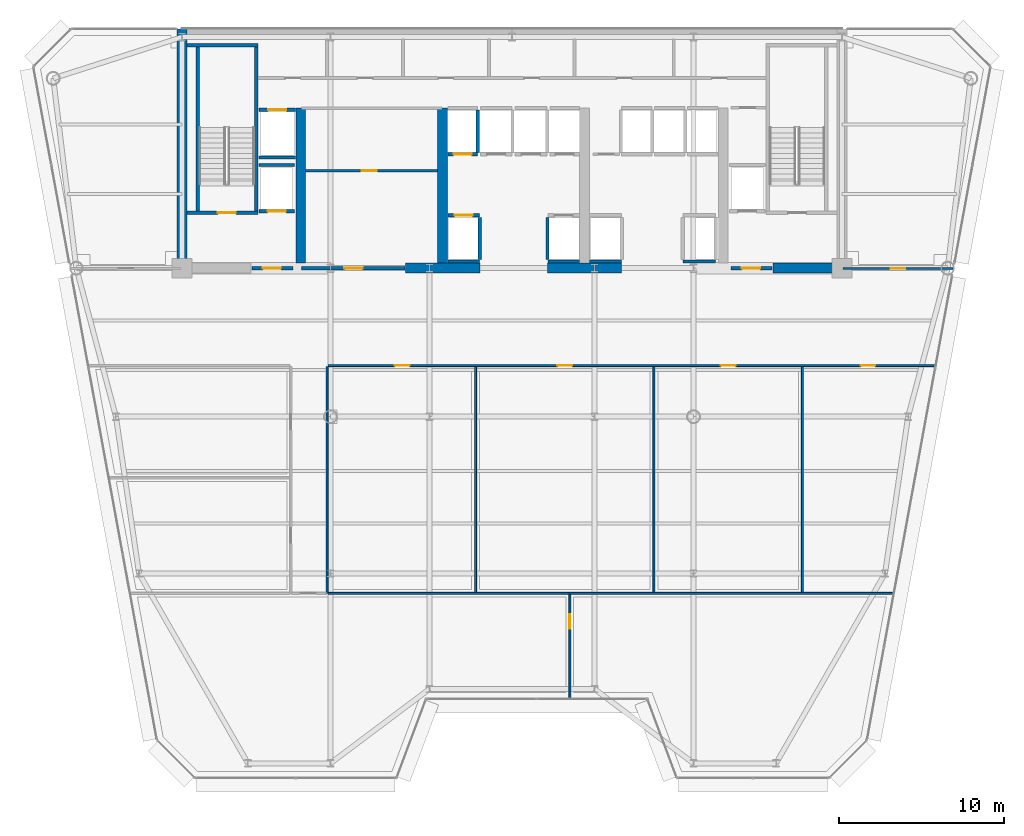
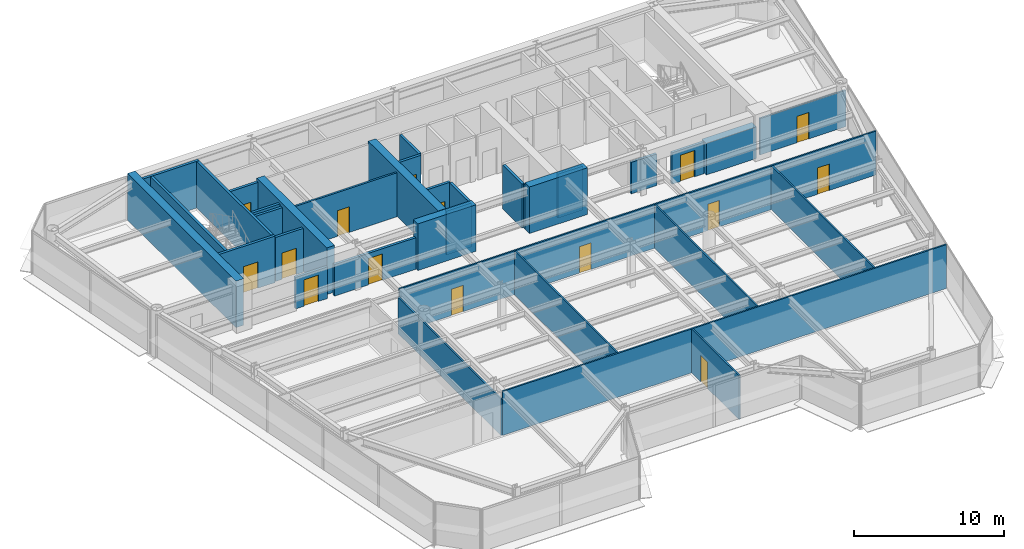
# One storey, part 10 of 16: 35 walls, 15 doors, 15 openings.
"""IFC4 building model written with IfcOpenShell, lengths in metres."""

from ifc_helpers import new_model, si_unit, direction, frame, frame_2d, origin, place, context, subcontext, project, spatial, rectangle, extrude, source, transform, mapped, material, layer, layer_set, type_object, element, fill, save


model = new_model("IFC4")

# Units and contexts
model_context = context("Model", 3, precision=1e-05, world=origin(), true_north=direction((0.0, 1.0)))
body_context = subcontext(model_context, "Body", "Model", "MODEL_VIEW")
ifc_project = project(units=[si_unit("LENGTHUNIT", "METRE"), si_unit("AREAUNIT", "SQUARE_METRE"), si_unit("VOLUMEUNIT", "CUBIC_METRE"), si_unit("PLANEANGLEUNIT", "RADIAN"), si_unit("MASSUNIT", "GRAM", prefix="KILO")], contexts=[model_context])

# Site, building, storey
site_placement = place(None, origin())
site = spatial("IfcSite", under=ifc_project, at=site_placement, CompositionType="ELEMENT")
building_placement = place(site_placement, origin())
building = spatial("IfcBuilding", under=site, at=building_placement, Name="Vaeldorn Concourse Tower", CompositionType="ELEMENT")
storey_placement = place(building_placement, frame((0.0, 0.0, 188.0)))
storey = spatial("IfcBuildingStorey", under=building, at=storey_placement, Name="L48", CompositionType="ELEMENT", Elevation=188.0)

# Walls
ifc_material_1 = material(Name="Concrete C50/60", Category="concrete")
ifc_layer_1 = layer(ifc_material_1, 0.60009765625)
ifc_layer_set_1 = layer_set([ifc_layer_1], Name="Concrete C50/60")
wall_type_1 = type_object("IfcWallType", Name="WL-CORE-600", PredefinedType="SHEAR", material=ifc_layer_set_1)
wall_1_placement = place(storey_placement, frame((14.0, 36.5, 0.0), z_axis=(0.0, 0.0, 1.0), x_axis=(0.0, 1.0, 0.0)))
element("IfcWall", 1, at=wall_1_placement, inside=storey, type_object=wall_type_1, Name="Rear Core Shear Wall L48 W1", PredefinedType="SHEAR", context=body_context, shape_type="SweptSolid", body=[
    extrude(rectangle(XDim=14.5, YDim=0.60009765625, at=frame_2d((7.25, 0.0))), origin(), (0.0, 0.0, 1.0), 3.800048828125),
])
for number, where, z_axis, x_axis, name in (
    (2, (27.550048828125, 36.5, 0.0), (0.0, 0.0, 1.0), (1.0, 0.0, 0.0), "Rear Core Shear Wall L48 S2"),
    (3, (36.14990234375, 36.5, 0.0), (0.0, 0.0, 1.0), (1.0, 0.0, 0.0), "Rear Core Shear Wall L48 S3"),
):
    element("IfcWall", number, at=place(storey_placement, frame(where, z_axis=z_axis, x_axis=x_axis)), inside=storey, type_object=wall_type_1, Name=name, PredefinedType="SHEAR", context=body_context, shape_type="SweptSolid", body=[
        extrude(rectangle(XDim=4.5, YDim=0.60009765625, at=frame_2d((2.25, 0.0))), origin(), (0.0, 0.0, 1.0), 3.800048828125),
    ])
wall_2_placement = place(storey_placement, frame((49.800048828125, 36.5, 0.0), z_axis=(0.0, 0.0, 1.0), x_axis=(1.0, 0.0, 0.0)))
element("IfcWall", 4, at=wall_2_placement, inside=storey, type_object=wall_type_1, Name="Rear Core Shear Wall L48 S4", PredefinedType="SHEAR", context=body_context, shape_type="SweptSolid", body=[
    extrude(rectangle(XDim=3.8798828125, YDim=0.60009765625, at=frame_2d((1.93994140625, 0.0))), origin(), (0.0, 0.0, 1.0), 2.580078125),
])
for number, where, z_axis, x_axis, name in (
    (5, (21.199951171875, 36.820068359375, 0.0), (0.0, 0.0, 1.0), (0.0, 1.0, 0.0), "Rear Core Shear Wall L48 M1"),
    (6, (29.800048828125, 36.820068359375, 0.0), (0.0, 0.0, 1.0), (0.0, 1.0, 0.0), "Rear Core Shear Wall L48 M2"),
):
    element("IfcWall", number, at=place(storey_placement, frame(where, z_axis=z_axis, x_axis=x_axis)), inside=storey, type_object=wall_type_1, Name=name, PredefinedType="SHEAR", context=body_context, shape_type="SweptSolid", body=[
        extrude(rectangle(XDim=9.3798828125, YDim=0.60009765625, at=frame_2d((4.68994140625, 0.0))), origin(), (0.0, 0.0, 1.0), 3.800048828125),
    ])

# Wall, openings, doors
ifc_material_2 = material(Name="Gypsum Board Partition", Category="gypsum")
ifc_layer_2 = layer(ifc_material_2, 0.1201171875)
ifc_layer_set_2 = layer_set([ifc_layer_2], Name="Gypsum Board Partition")
wall_type_2 = type_object("IfcWallType", Name="WL-PART-120", PredefinedType="PARTITIONING", material=ifc_layer_set_2)
wall_3_placement = place(storey_placement, frame((22.860107421875, 30.60009765625, 0.0), z_axis=(0.0, 0.0, 1.0), x_axis=(1.0, 0.0, 0.0)))
wall_3 = element("IfcWall", 7, at=wall_3_placement, inside=storey, type_object=wall_type_2, Name="Interior Wall PW-L48-C2SE", PredefinedType="PARTITIONING", context=body_context, shape_type="SweptSolid", body=[
    extrude(rectangle(XDim=36.776611328125, YDim=0.1201171875, at=frame_2d((18.38818359375, 0.0))), origin(), (0.0, 0.0, 1.0), 3.580078125),
])
opening_1_placement = place(wall_3_placement, frame((4.0400390625, 0.0, 0.0)))
opening_1 = element("IfcOpeningElement", 8, at=opening_1_placement, cuts=wall_3, Name="Opening D-03", PredefinedType="OPENING", context=body_context, shape_type="SweptSolid", body=[
    extrude(rectangle(XDim=0.89990234375, YDim=2.14990234375, at=frame_2d((0.449951171875, 1.074951171875))), frame((0.0, 0.070068359375, 0.0), z_axis=(0.0, -1.0, 0.0), x_axis=(1.0, 0.0, 0.0)), (0.0, 0.0, 1.0), 0.14013671875),
])
opening_2_placement = place(wall_3_placement, frame((13.889892578125, 0.0, 0.0)))
opening_2 = element("IfcOpeningElement", 9, at=opening_2_placement, cuts=wall_3, Name="Opening D-03", PredefinedType="OPENING", context=body_context, shape_type="SweptSolid", body=[
    extrude(rectangle(XDim=0.89990234375, YDim=2.14990234375, at=frame_2d((0.449951171875, 1.074951171875))), frame((0.0, 0.070068359375, 0.0), z_axis=(0.0, -1.0, 0.0), x_axis=(1.0, 0.0, 0.0)), (0.0, 0.0, 1.0), 0.14013671875),
])
opening_3_placement = place(wall_3_placement, frame((23.7900390625, 0.0, 0.0)))
opening_3 = element("IfcOpeningElement", 10, at=opening_3_placement, cuts=wall_3, Name="Opening D-03", PredefinedType="OPENING", context=body_context, shape_type="SweptSolid", body=[
    extrude(rectangle(XDim=0.89990234375, YDim=2.14990234375, at=frame_2d((0.449951171875, 1.074951171875))), frame((0.0, 0.070068359375, 0.0), z_axis=(0.0, -1.0, 0.0), x_axis=(1.0, 0.0, 0.0)), (0.0, 0.0, 1.0), 0.14013671875),
])
opening_4_placement = place(wall_3_placement, frame((32.258056640625, 0.0, 0.0)))
opening_4 = element("IfcOpeningElement", 11, at=opening_4_placement, cuts=wall_3, Name="Opening D-03", PredefinedType="OPENING", context=body_context, shape_type="SweptSolid", body=[
    extrude(rectangle(XDim=0.89990234375, YDim=2.14990234375, at=frame_2d((0.449951171875, 1.074951171875))), frame((0.0, 0.070068359375, 0.0), z_axis=(0.0, -1.0, 0.0), x_axis=(1.0, 0.0, 0.0)), (0.0, 0.0, 1.0), 0.14013671875),
])
ifc_material_3 = material(Name="Acoustic Bronze-Framed Glass Door", Category="glass")
door_type_1 = type_object("IfcDoorType", Name="DR-INT-900", OperationType="NOTDEFINED", PredefinedType="DOOR", material=ifc_material_3)
shared_shape_1 = source(origin(), body_context, "Body", "SweptSolid", [
    extrude(rectangle(XDim=0.89990234375, YDim=2.14990234375, at=frame_2d((0.449951171875, 1.074951171875))), frame((0.0, 0.02490234375, 0.0), z_axis=(0.0, -1.0, 0.0), x_axis=(1.0, 0.0, 0.0)), (0.0, 0.0, 1.0), 0.050048828125),
])
door_1_placement = place(opening_1_placement, origin())
door_1 = element("IfcDoor", 12, at=door_1_placement, inside=storey, type_object=door_type_1, Name="Interior Door DR-L48-Z2E1", OperationType="SINGLE_SWING_RIGHT", OverallHeight=2.14990234375, OverallWidth=0.89990234375, PredefinedType="DOOR", context=body_context, shape_type="MappedRepresentation", body=[
    mapped(shared_shape_1, transform((0.0, 0.0, 0.0), scale=1.0)),
])
fill(opening_1, door_1)
door_2_placement = place(opening_2_placement, origin())
door_2 = element("IfcDoor", 13, at=door_2_placement, inside=storey, type_object=door_type_1, Name="Interior Door DR-L48-Z2E2", OperationType="SINGLE_SWING_LEFT", OverallHeight=2.14990234375, OverallWidth=0.89990234375, PredefinedType="DOOR", context=body_context, shape_type="MappedRepresentation", body=[
    mapped(shared_shape_1, transform((0.0, 0.0, 0.0), scale=1.0)),
])
fill(opening_2, door_2)
door_3_placement = place(opening_3_placement, origin())
door_3 = element("IfcDoor", 14, at=door_3_placement, inside=storey, type_object=door_type_1, Name="Interior Door DR-L48-Z2E3", OperationType="SINGLE_SWING_RIGHT", OverallHeight=2.14990234375, OverallWidth=0.89990234375, PredefinedType="DOOR", context=body_context, shape_type="MappedRepresentation", body=[
    mapped(shared_shape_1, transform((0.0, 0.0, 0.0), scale=1.0)),
])
fill(opening_3, door_3)
door_4_placement = place(opening_4_placement, origin())
door_4 = element("IfcDoor", 15, at=door_4_placement, inside=storey, type_object=door_type_1, Name="Interior Door DR-L48-Z2E4", OperationType="SINGLE_SWING_LEFT", OverallHeight=2.14990234375, OverallWidth=0.89990234375, PredefinedType="DOOR", context=body_context, shape_type="MappedRepresentation", body=[
    mapped(shared_shape_1, transform((0.0, 0.0, 0.0), scale=1.0)),
])
fill(opening_4, door_4)

# Wall
wall_4_placement = place(storey_placement, frame((22.800048828125, 16.800048828125, 0.0), z_axis=(0.0, 0.0, 1.0), x_axis=(0.0, 1.0, 0.0)))
element("IfcWall", 16, at=wall_4_placement, inside=storey, type_object=wall_type_2, Name="Interior Wall PW-L48-SP2E", PredefinedType="PARTITIONING", context=body_context, shape_type="SweptSolid", body=[
    extrude(rectangle(XDim=13.739990234375, YDim=0.1201171875, at=frame_2d((6.8701171875, 0.0))), origin(), (0.0, 0.0, 1.0), 2.969970703125),
])

# Wall, opening, door
wall_5_placement = place(storey_placement, frame((54.06005859375, 36.47998046875, 0.0), z_axis=(0.0, 0.0, 1.0), x_axis=(1.0, 0.0, 0.0)))
wall_5 = element("IfcWall", 17, at=wall_5_placement, inside=storey, type_object=wall_type_2, Name="Interior Wall PW-L48-NES", PredefinedType="PARTITIONING", context=body_context, shape_type="SweptSolid", body=[
    extrude(rectangle(XDim=6.65087890625, YDim=0.1201171875, at=frame_2d((3.325439453125, 0.0))), origin(), (0.0, 0.0, 1.0), 2.969970703125),
])
opening_5_placement = place(wall_5_placement, frame((2.875, 0.0, 0.0)))
opening_5 = element("IfcOpeningElement", 18, at=opening_5_placement, cuts=wall_5, Name="Opening D-03", PredefinedType="OPENING", context=body_context, shape_type="SweptSolid", body=[
    extrude(rectangle(XDim=0.89990234375, YDim=2.14990234375, at=frame_2d((0.449951171875, 1.074951171875))), frame((0.0, 0.070068359375, 0.0), z_axis=(0.0, -1.0, 0.0), x_axis=(1.0, 0.0, 0.0)), (0.0, 0.0, 1.0), 0.14013671875),
])
door_5_placement = place(opening_5_placement, origin())
door_5 = element("IfcDoor", 19, at=door_5_placement, inside=storey, type_object=door_type_1, Name="Interior Door DR-L48-NEC", OperationType="SINGLE_SWING_RIGHT", OverallHeight=2.14990234375, OverallWidth=0.89990234375, PredefinedType="DOOR", context=body_context, shape_type="MappedRepresentation", body=[
    mapped(shared_shape_1, transform((0.0, 0.0, 0.0), scale=1.0)),
])
fill(opening_5, door_5)

# Wall
wall_6_placement = place(storey_placement, frame((22.860107421875, 16.800048828125, 0.0), z_axis=(0.0, 0.0, 1.0), x_axis=(1.0, 0.0, 0.0)))
element("IfcWall", 20, at=wall_6_placement, inside=storey, type_object=wall_type_2, Name="Interior Wall PW-L48-S2EL", PredefinedType="PARTITIONING", context=body_context, shape_type="SweptSolid", body=[
    extrude(rectangle(XDim=34.242919921875, YDim=0.1201171875, at=frame_2d((17.12158203125, 0.0))), origin(), (0.0, 0.0, 1.0), 3.580078125),
])

# Wall, opening, door
wall_7_placement = place(storey_placement, frame((37.5, 10.43994140625, 0.0), z_axis=(0.0, 0.0, 1.0), x_axis=(0.0, 1.0, 0.0)))
wall_7 = element("IfcWall", 21, at=wall_7_placement, inside=storey, type_object=wall_type_2, Name="Interior Wall PW-L48-Z2SFX1", PredefinedType="PARTITIONING", context=body_context, shape_type="SweptSolid", body=[
    extrude(rectangle(XDim=6.300048828125, YDim=0.1201171875, at=frame_2d((3.14990234375, 0.0))), origin(), (0.0, 0.0, 1.0), 3.580078125),
])
opening_6_placement = place(wall_7_placement, frame((4.199951171875, 0.0, 0.0)))
opening_6 = element("IfcOpeningElement", 22, at=opening_6_placement, cuts=wall_7, Name="Opening D-03", PredefinedType="OPENING", context=body_context, shape_type="SweptSolid", body=[
    extrude(rectangle(XDim=0.89990234375, YDim=2.14990234375, at=frame_2d((0.449951171875, 1.074951171875))), frame((0.0, 0.070068359375, 0.0), z_axis=(0.0, -1.0, 0.0), x_axis=(1.0, 0.0, 0.0)), (0.0, 0.0, 1.0), 0.14013671875),
])
door_6_placement = place(opening_6_placement, origin())
door_6 = element("IfcDoor", 23, at=door_6_placement, inside=storey, type_object=door_type_1, Name="Interior Door DR-L48-Z2SFX1", OperationType="SINGLE_SWING_RIGHT", OverallHeight=2.14990234375, OverallWidth=0.89990234375, PredefinedType="DOOR", context=body_context, shape_type="MappedRepresentation", body=[
    mapped(shared_shape_1, transform((0.0, 0.0, 0.0), scale=1.0)),
])
fill(opening_6, door_6)

# Walls
for number, where, z_axis, x_axis, name in (
    (24, (31.800048828125, 16.860107421875, 0.0), (0.0, 0.0, 1.0), (0.0, 1.0, 0.0), "Interior Wall PW-L48-Z2EX1"),
    (25, (42.60009765625, 16.860107421875, 0.0), (0.0, 0.0, 1.0), (0.0, 1.0, 0.0), "Interior Wall PW-L48-Z2EX2"),
    (26, (51.60009765625, 16.860107421875, 0.0), (0.0, 0.0, 1.0), (0.0, 1.0, 0.0), "Interior Wall PW-L48-Z2EX3"),
):
    element("IfcWall", number, at=place(storey_placement, frame(where, z_axis=z_axis, x_axis=x_axis)), inside=storey, type_object=wall_type_2, Name=name, PredefinedType="PARTITIONING", context=body_context, shape_type="SweptSolid", body=[
        extrude(rectangle(XDim=13.679931640625, YDim=0.1201171875, at=frame_2d((6.83984375, 0.0))), origin(), (0.0, 0.0, 1.0), 3.580078125),
    ])

# Wall, opening, door
ifc_layer_3 = layer(ifc_material_2, 0.14990234375)
ifc_layer_set_3 = layer_set([ifc_layer_3], Name="Gypsum Board Partition")
wall_type_3 = type_object("IfcWallType", Name="WL-PART-150", PredefinedType="PARTITIONING", material=ifc_layer_set_3)
wall_8_placement = place(storey_placement, frame((21.5, 42.39990234375, 0.0), z_axis=(0.0, 0.0, 1.0), x_axis=(1.0, 0.0, 0.0)))
wall_8 = element("IfcWall", 27, at=wall_8_placement, inside=storey, type_object=wall_type_3, Name="Interior Wall CW-L48-R1M", PredefinedType="PARTITIONING", context=body_context, shape_type="SweptSolid", body=[
    extrude(rectangle(XDim=8.0, YDim=0.14990234375, at=frame_2d((4.0, 0.0))), origin(), (0.0, 0.0, 1.0), 3.580078125),
])
opening_7_placement = place(wall_8_placement, frame((3.39990234375, 0.0, 0.0)))
opening_7 = element("IfcOpeningElement", 28, at=opening_7_placement, cuts=wall_8, Name="Opening D-02", PredefinedType="OPENING", context=body_context, shape_type="SweptSolid", body=[
    extrude(rectangle(XDim=0.89990234375, YDim=2.10009765625, at=frame_2d((0.449951171875, 1.050048828125))), frame((0.0, 0.0849609375, 0.0), z_axis=(0.0, -1.0, 0.0), x_axis=(1.0, 0.0, 0.0)), (0.0, 0.0, 1.0), 0.169921875),
])
ifc_material_4 = material(Name="Fire-Rated Timber Leaf", Category="wood")
door_type_2 = type_object("IfcDoorType", Name="DR-FD30-900", OperationType="NOTDEFINED", PredefinedType="DOOR", material=ifc_material_4)
shared_shape_2 = source(origin(), body_context, "Body", "SweptSolid", [
    extrude(rectangle(XDim=0.89990234375, YDim=2.10009765625, at=frame_2d((0.449951171875, 1.050048828125))), frame((0.0, 0.02490234375, 0.0), z_axis=(0.0, -1.0, 0.0), x_axis=(1.0, 0.0, 0.0)), (0.0, 0.0, 1.0), 0.050048828125),
])
door_7_placement = place(opening_7_placement, origin())
door_7 = element("IfcDoor", 29, at=door_7_placement, inside=storey, type_object=door_type_2, Name="Interior Door DR-L48-R1M", OperationType="SINGLE_SWING_RIGHT", OverallHeight=2.10009765625, OverallWidth=0.89990234375, PredefinedType="DOOR", context=body_context, shape_type="MappedRepresentation", body=[
    mapped(shared_shape_2, transform((0.0, 0.0, 0.0), scale=1.0)),
])
fill(opening_7, door_7)

ifc_layer_4 = layer(ifc_material_1, 0.199951171875)
ifc_layer_set_4 = layer_set([ifc_layer_4], Name="Concrete C50/60")
wall_type_4 = type_object("IfcWallType", Name="WL-SHAFT-200", PredefinedType="SOLIDWALL", material=ifc_layer_set_4)
wall_9_placement = place(storey_placement, frame((14.300048828125, 39.85009765625, 0.0), z_axis=(0.0, 0.0, 1.0), x_axis=(1.0, 0.0, 0.0)))
wall_9 = element("IfcWall", 30, at=wall_9_placement, inside=storey, type_object=wall_type_4, Name="Stair Shaft Wall CW-L48-ST-1-S", PredefinedType="SOLIDWALL", context=body_context, shape_type="SweptSolid", body=[
    extrude(rectangle(XDim=4.300048828125, YDim=0.199951171875, at=frame_2d((2.14990234375, 0.0))), origin(), (0.0, 0.0, 1.0), 3.800048828125),
])
opening_8_placement = place(wall_9_placement, frame((1.875, 0.0, 0.0)))
opening_8 = element("IfcOpeningElement", 31, at=opening_8_placement, cuts=wall_9, Name="Opening D-01", PredefinedType="OPENING", context=body_context, shape_type="SweptSolid", body=[
    extrude(rectangle(XDim=1.10009765625, YDim=2.14990234375, at=frame_2d((0.550048828125, 1.074951171875))), frame((0.0, 0.10986328125, 0.0), z_axis=(0.0, -1.0, 0.0), x_axis=(1.0, 0.0, 0.0)), (0.0, 0.0, 1.0), 0.219970703125),
])
ifc_material_5 = material(Name="Fire-Rated Timber and Steel Leaf", Category="steel")
door_type_3 = type_object("IfcDoorType", Name="DR-FD60-1100", OperationType="NOTDEFINED", PredefinedType="DOOR", material=ifc_material_5)
shared_shape_3 = source(origin(), body_context, "Body", "SweptSolid", [
    extrude(rectangle(XDim=1.10009765625, YDim=2.14990234375, at=frame_2d((0.550048828125, 1.074951171875))), frame((0.0, 0.02490234375, 0.0), z_axis=(0.0, -1.0, 0.0), x_axis=(1.0, 0.0, 0.0)), (0.0, 0.0, 1.0), 0.050048828125),
])
door_8_placement = place(opening_8_placement, origin())
door_8 = element("IfcDoor", 32, at=door_8_placement, inside=storey, type_object=door_type_3, Name="Interior Door DR-L48-ST-1", OperationType="SINGLE_SWING_LEFT", OverallHeight=2.14990234375, OverallWidth=1.10009765625, PredefinedType="DOOR", context=body_context, shape_type="MappedRepresentation", body=[
    mapped(shared_shape_3, transform((0.0, 0.0, 0.0), scale=1.0)),
])
fill(opening_8, door_8)

# Walls
wall_10_placement = place(storey_placement, frame((14.300048828125, 50.0, 0.0), z_axis=(0.0, 0.0, 1.0), x_axis=(1.0, 0.0, 0.0)))
element("IfcWall", 33, at=wall_10_placement, inside=storey, type_object=wall_type_4, Name="Stair Shaft Wall CW-L48-ST-1-N", PredefinedType="SOLIDWALL", context=body_context, shape_type="SweptSolid", body=[
    extrude(rectangle(XDim=4.300048828125, YDim=0.199951171875, at=frame_2d((2.14990234375, 0.0))), origin(), (0.0, 0.0, 1.0), 3.800048828125),
])
for number, where, z_axis, x_axis, name in (
    (34, (14.949951171875, 39.9599609375, 0.0), (0.0, 0.0, 1.0), (0.0, 1.0, 0.0), "Stair Shaft Wall CW-L48-ST-1-W"),
    (35, (18.5, 39.9599609375, 0.0), (0.0, 0.0, 1.0), (0.0, 1.0, 0.0), "Stair Shaft Wall CW-L48-ST-1-E"),
):
    element("IfcWall", number, at=place(storey_placement, frame(where, z_axis=z_axis, x_axis=x_axis)), inside=storey, type_object=wall_type_4, Name=name, PredefinedType="SOLIDWALL", context=body_context, shape_type="SweptSolid", body=[
        extrude(rectangle(XDim=9.929931640625, YDim=0.199951171875, at=frame_2d((4.96484375, 0.0))), origin(), (0.0, 0.0, 1.0), 3.800048828125),
    ])

# Wall, opening, door
wall_11_placement = place(storey_placement, frame((18.25, 36.5, 0.0), z_axis=(0.0, 0.0, 1.0), x_axis=(1.0, 0.0, 0.0)))
wall_11 = element("IfcWall", 36, at=wall_11_placement, inside=storey, type_object=wall_type_4, Name="Interior Wall CW-L48-FF1S", PredefinedType="SOLIDWALL", context=body_context, shape_type="SweptSolid", body=[
    extrude(rectangle(XDim=2.469970703125, YDim=0.199951171875, at=frame_2d((1.23486328125, 0.0))), origin(), (0.0, 0.0, 1.0), 2.570068359375),
])
opening_9_placement = place(wall_11_placement, frame((0.64990234375, 0.0, 0.0)))
opening_9 = element("IfcOpeningElement", 37, at=opening_9_placement, cuts=wall_11, Name="Opening D-01", PredefinedType="OPENING", context=body_context, shape_type="SweptSolid", body=[
    extrude(rectangle(XDim=1.10009765625, YDim=2.14990234375, at=frame_2d((0.550048828125, 1.074951171875))), frame((0.0, 0.10986328125, 0.0), z_axis=(0.0, -1.0, 0.0), x_axis=(1.0, 0.0, 0.0)), (0.0, 0.0, 1.0), 0.219970703125),
])
door_9_placement = place(opening_9_placement, origin())
door_9 = element("IfcDoor", 38, at=door_9_placement, inside=storey, type_object=door_type_3, Name="Interior Door DR-L48-FF1E", OperationType="SINGLE_SWING_RIGHT", OverallHeight=2.14990234375, OverallWidth=1.10009765625, PredefinedType="DOOR", context=body_context, shape_type="MappedRepresentation", body=[
    mapped(shared_shape_3, transform((0.0, 0.0, 0.0), scale=1.0)),
])
fill(opening_9, door_9)

wall_12_placement = place(storey_placement, frame((47.280029296875, 36.5, 0.0), z_axis=(0.0, 0.0, 1.0), x_axis=(1.0, 0.0, 0.0)))
wall_12 = element("IfcWall", 39, at=wall_12_placement, inside=storey, type_object=wall_type_4, Name="Interior Wall CW-L48-FF2S", PredefinedType="SOLIDWALL", context=body_context, shape_type="SweptSolid", body=[
    extrude(rectangle(XDim=2.469970703125, YDim=0.199951171875, at=frame_2d((1.23486328125, 0.0))), origin(), (0.0, 0.0, 1.0), 2.570068359375),
])
opening_10_placement = place(wall_12_placement, frame((0.64990234375, 0.0, 0.0)))
opening_10 = element("IfcOpeningElement", 40, at=opening_10_placement, cuts=wall_12, Name="Opening D-01", PredefinedType="OPENING", context=body_context, shape_type="SweptSolid", body=[
    extrude(rectangle(XDim=1.10009765625, YDim=2.14990234375, at=frame_2d((0.550048828125, 1.074951171875))), frame((0.0, 0.10986328125, 0.0), z_axis=(0.0, -1.0, 0.0), x_axis=(1.0, 0.0, 0.0)), (0.0, 0.0, 1.0), 0.219970703125),
])
door_10_placement = place(opening_10_placement, origin())
door_10 = element("IfcDoor", 41, at=door_10_placement, inside=storey, type_object=door_type_3, Name="Interior Door DR-L48-FF2W", OperationType="SINGLE_SWING_LEFT", OverallHeight=2.14990234375, OverallWidth=1.10009765625, PredefinedType="DOOR", context=body_context, shape_type="MappedRepresentation", body=[
    mapped(shared_shape_3, transform((0.0, 0.0, 0.0), scale=1.0)),
])
fill(opening_10, door_10)

wall_13_placement = place(storey_placement, frame((30.110107421875, 39.699951171875, 0.0), z_axis=(0.0, 0.0, 1.0), x_axis=(1.0, 0.0, 0.0)))
wall_13 = element("IfcWall", 42, at=wall_13_placement, inside=storey, type_object=wall_type_4, Name="Interior Wall CW-L48-LF-LF-07", PredefinedType="SOLIDWALL", context=body_context, shape_type="SweptSolid", body=[
    extrude(rectangle(XDim=1.919921875, YDim=0.199951171875, at=frame_2d((0.9599609375, 0.0))), origin(), (0.0, 0.0, 1.0), 3.580078125),
])
opening_11_placement = place(wall_13_placement, frame((0.409912109375, 0.0, 0.0)))
opening_11 = element("IfcOpeningElement", 43, at=opening_11_placement, cuts=wall_13, Name="Opening LD-1", PredefinedType="OPENING", context=body_context, shape_type="SweptSolid", body=[
    extrude(rectangle(XDim=1.10009765625, YDim=2.14990234375, at=frame_2d((0.550048828125, 1.074951171875))), frame((0.0, 0.10986328125, 0.0), z_axis=(0.0, -1.0, 0.0), x_axis=(1.0, 0.0, 0.0)), (0.0, 0.0, 1.0), 0.219970703125),
])
ifc_material_6 = material(Name="Anodised Bronze Aluminium", Category="aluminium")
door_type_4 = type_object("IfcDoorType", Name="DR-LIFT-SLIDE-1100", OperationType="DOUBLE_DOOR_SLIDING", PredefinedType="DOOR", material=ifc_material_6)
door_11_placement = place(opening_11_placement, origin())
door_11 = element("IfcDoor", 44, at=door_11_placement, inside=storey, type_object=door_type_4, Name="Lift Landing Door LD-L48-LF-07", OperationType="DOUBLE_DOOR_SLIDING", OverallHeight=2.14990234375, OverallWidth=1.10009765625, PredefinedType="DOOR", context=body_context, shape_type="MappedRepresentation", body=[
    mapped(shared_shape_3, transform((0.0, 0.0, 0.0), scale=1.0)),
])
fill(opening_11, door_11)

# Walls
wall_14_placement = place(storey_placement, frame((30.110107421875, 36.89990234375, 0.0), z_axis=(0.0, 0.0, 1.0), x_axis=(1.0, 0.0, 0.0)))
element("IfcWall", 45, at=wall_14_placement, inside=storey, type_object=wall_type_4, Name="Interior Wall CW-L48-LFB-LF-07", PredefinedType="SOLIDWALL", context=body_context, shape_type="SweptSolid", body=[
    extrude(rectangle(XDim=1.919921875, YDim=0.199951171875, at=frame_2d((0.9599609375, 0.0))), origin(), (0.0, 0.0, 1.0), 3.580078125),
])
wall_15_placement = place(storey_placement, frame((32.050048828125, 37.02001953125, 0.0), z_axis=(0.0, 0.0, 1.0), x_axis=(0.0, 1.0, 0.0)))
element("IfcWall", 46, at=wall_15_placement, inside=storey, type_object=wall_type_4, Name="Interior Wall CW-L48-LFE-LF-07", PredefinedType="SOLIDWALL", context=body_context, shape_type="SweptSolid", body=[
    extrude(rectangle(XDim=2.56005859375, YDim=0.199951171875, at=frame_2d((1.280029296875, 0.0))), origin(), (0.0, 0.0, 1.0), 3.580078125),
])
wall_16_placement = place(storey_placement, frame((36.169921875, 36.89990234375, 0.0), z_axis=(0.0, 0.0, 1.0), x_axis=(1.0, 0.0, 0.0)))
element("IfcWall", 47, at=wall_16_placement, inside=storey, type_object=wall_type_4, Name="Interior Wall CW-L48-LFB-LF-08", PredefinedType="SOLIDWALL", context=body_context, shape_type="SweptSolid", body=[
    extrude(rectangle(XDim=1.920166015625, YDim=0.199951171875, at=frame_2d((0.9599609375, 0.0))), origin(), (0.0, 0.0, 1.0), 3.580078125),
])
wall_17_placement = place(storey_placement, frame((36.14990234375, 37.02001953125, 0.0), z_axis=(0.0, 0.0, 1.0), x_axis=(0.0, 1.0, 0.0)))
element("IfcWall", 48, at=wall_17_placement, inside=storey, type_object=wall_type_4, Name="Interior Wall CW-L48-LFW-LF-08", PredefinedType="SOLIDWALL", context=body_context, shape_type="SweptSolid", body=[
    extrude(rectangle(XDim=2.56005859375, YDim=0.199951171875, at=frame_2d((1.280029296875, 0.0))), origin(), (0.0, 0.0, 1.0), 3.580078125),
])

# Wall, opening, door
wall_18_placement = place(storey_placement, frame((30.110107421875, 43.39990234375, 0.0), z_axis=(0.0, 0.0, 1.0), x_axis=(1.0, 0.0, 0.0)))
wall_18 = element("IfcWall", 49, at=wall_18_placement, inside=storey, type_object=wall_type_4, Name="Interior Wall CW-L48-LF-LF-09", PredefinedType="SOLIDWALL", context=body_context, shape_type="SweptSolid", body=[
    extrude(rectangle(XDim=1.7998046875, YDim=0.199951171875, at=frame_2d((0.89990234375, 0.0))), origin(), (0.0, 0.0, 1.0), 3.580078125),
])
opening_12_placement = place(wall_18_placement, frame((0.35009765625, 0.0, 0.0)))
opening_12 = element("IfcOpeningElement", 50, at=opening_12_placement, cuts=wall_18, Name="Opening LD-1", PredefinedType="OPENING", context=body_context, shape_type="SweptSolid", body=[
    extrude(rectangle(XDim=1.10009765625, YDim=2.14990234375, at=frame_2d((0.550048828125, 1.074951171875))), frame((0.0, 0.10986328125, 0.0), z_axis=(0.0, -1.0, 0.0), x_axis=(1.0, 0.0, 0.0)), (0.0, 0.0, 1.0), 0.219970703125),
])
door_12_placement = place(opening_12_placement, origin())
door_12 = element("IfcDoor", 51, at=door_12_placement, inside=storey, type_object=door_type_4, Name="Lift Landing Door LD-L48-LF-09", OperationType="DOUBLE_DOOR_SLIDING", OverallHeight=2.14990234375, OverallWidth=1.10009765625, PredefinedType="DOOR", context=body_context, shape_type="MappedRepresentation", body=[
    mapped(shared_shape_3, transform((0.0, 0.0, 0.0), scale=1.0)),
])
fill(opening_12, door_12)

# Walls
wall_19_placement = place(storey_placement, frame((31.929931640625, 43.52001953125, 0.0), z_axis=(0.0, 0.0, 1.0), x_axis=(0.0, 1.0, 0.0)))
element("IfcWall", 52, at=wall_19_placement, inside=storey, type_object=wall_type_4, Name="Interior Wall CW-L48-LFE-LF-09", PredefinedType="SOLIDWALL", context=body_context, shape_type="SweptSolid", body=[
    extrude(rectangle(XDim=2.56005859375, YDim=0.199951171875, at=frame_2d((1.280029296875, 0.0))), origin(), (0.0, 0.0, 1.0), 3.580078125),
])
wall_20_placement = place(storey_placement, frame((38.7099609375, 36.89990234375, 0.0), z_axis=(0.0, 0.0, 1.0), x_axis=(1.0, 0.0, 0.0)))
element("IfcWall", 53, at=wall_20_placement, inside=storey, type_object=wall_type_4, Name="Interior Wall CW-L48-LFB-LF-13", PredefinedType="SOLIDWALL", context=body_context, shape_type="SweptSolid", body=[
    extrude(rectangle(XDim=1.919921875, YDim=0.199951171875, at=frame_2d((0.9599609375, 0.0))), origin(), (0.0, 0.0, 1.0), 3.580078125),
])
wall_21_placement = place(storey_placement, frame((44.3701171875, 36.89990234375, 0.0), z_axis=(0.0, 0.0, 1.0), x_axis=(1.0, 0.0, 0.0)))
element("IfcWall", 54, at=wall_21_placement, inside=storey, type_object=wall_type_4, Name="Interior Wall CW-L48-LFB-LF-14", PredefinedType="SOLIDWALL", context=body_context, shape_type="SweptSolid", body=[
    extrude(rectangle(XDim=1.9599609375, YDim=0.199951171875, at=frame_2d((0.97998046875, 0.0))), origin(), (0.0, 0.0, 1.0), 2.570068359375),
])

# Wall, opening, door
wall_22_placement = place(storey_placement, frame((18.669921875, 46.10009765625, 0.0), z_axis=(0.0, 0.0, 1.0), x_axis=(1.0, 0.0, 0.0)))
wall_22 = element("IfcWall", 55, at=wall_22_placement, inside=storey, type_object=wall_type_4, Name="Interior Wall CW-L48-LF-LF-SV1", PredefinedType="SOLIDWALL", context=body_context, shape_type="SweptSolid", body=[
    extrude(rectangle(XDim=2.219970703125, YDim=0.199951171875, at=frame_2d((1.10986328125, 0.0))), origin(), (0.0, 0.0, 1.0), 3.580078125),
])
opening_13_placement = place(wall_22_placement, frame((0.56005859375, 0.0, 0.0)))
opening_13 = element("IfcOpeningElement", 56, at=opening_13_placement, cuts=wall_22, Name="Opening LD-1", PredefinedType="OPENING", context=body_context, shape_type="SweptSolid", body=[
    extrude(rectangle(XDim=1.10009765625, YDim=2.14990234375, at=frame_2d((0.550048828125, 1.074951171875))), frame((0.0, 0.10986328125, 0.0), z_axis=(0.0, -1.0, 0.0), x_axis=(1.0, 0.0, 0.0)), (0.0, 0.0, 1.0), 0.219970703125),
])
door_13_placement = place(opening_13_placement, origin())
door_13 = element("IfcDoor", 57, at=door_13_placement, inside=storey, type_object=door_type_4, Name="Lift Landing Door LD-L48-LF-SV1", OperationType="DOUBLE_DOOR_SLIDING", OverallHeight=2.14990234375, OverallWidth=1.10009765625, PredefinedType="DOOR", context=body_context, shape_type="MappedRepresentation", body=[
    mapped(shared_shape_3, transform((0.0, 0.0, 0.0), scale=1.0)),
])
fill(opening_13, door_13)

# Wall
wall_23_placement = place(storey_placement, frame((18.669921875, 43.199951171875, 0.0), z_axis=(0.0, 0.0, 1.0), x_axis=(1.0, 0.0, 0.0)))
element("IfcWall", 58, at=wall_23_placement, inside=storey, type_object=wall_type_4, Name="Interior Wall CW-L48-LFB-LF-SV1", PredefinedType="SOLIDWALL", context=body_context, shape_type="SweptSolid", body=[
    extrude(rectangle(XDim=2.219970703125, YDim=0.199951171875, at=frame_2d((1.10986328125, 0.0))), origin(), (0.0, 0.0, 1.0), 3.580078125),
])

# Wall, opening, door
wall_24_placement = place(storey_placement, frame((18.669921875, 39.949951171875, 0.0), z_axis=(0.0, 0.0, 1.0), x_axis=(1.0, 0.0, 0.0)))
wall_24 = element("IfcWall", 59, at=wall_24_placement, inside=storey, type_object=wall_type_4, Name="Interior Wall CW-L48-LF-LF-FF1", PredefinedType="SOLIDWALL", context=body_context, shape_type="SweptSolid", body=[
    extrude(rectangle(XDim=2.16015625, YDim=0.199951171875, at=frame_2d((1.080078125, 0.0))), origin(), (0.0, 0.0, 1.0), 3.580078125),
])
opening_14_placement = place(wall_24_placement, frame((0.530029296875, 0.0, 0.0)))
opening_14 = element("IfcOpeningElement", 60, at=opening_14_placement, cuts=wall_24, Name="Opening LD-1", PredefinedType="OPENING", context=body_context, shape_type="SweptSolid", body=[
    extrude(rectangle(XDim=1.10009765625, YDim=2.14990234375, at=frame_2d((0.550048828125, 1.074951171875))), frame((0.0, 0.10986328125, 0.0), z_axis=(0.0, -1.0, 0.0), x_axis=(1.0, 0.0, 0.0)), (0.0, 0.0, 1.0), 0.219970703125),
])
door_14_placement = place(opening_14_placement, origin())
door_14 = element("IfcDoor", 61, at=door_14_placement, inside=storey, type_object=door_type_4, Name="Lift Landing Door LD-L48-LF-FF1", OperationType="DOUBLE_DOOR_SLIDING", OverallHeight=2.14990234375, OverallWidth=1.10009765625, PredefinedType="DOOR", context=body_context, shape_type="MappedRepresentation", body=[
    mapped(shared_shape_3, transform((0.0, 0.0, 0.0), scale=1.0)),
])
fill(opening_14, door_14)

# Wall
wall_25_placement = place(storey_placement, frame((18.669921875, 42.75, 0.0), z_axis=(0.0, 0.0, 1.0), x_axis=(1.0, 0.0, 0.0)))
element("IfcWall", 62, at=wall_25_placement, inside=storey, type_object=wall_type_4, Name="Interior Wall CW-L48-LFB-LF-FF1", PredefinedType="SOLIDWALL", context=body_context, shape_type="SweptSolid", body=[
    extrude(rectangle(XDim=2.16015625, YDim=0.199951171875, at=frame_2d((1.080078125, 0.0))), origin(), (0.0, 0.0, 1.0), 3.580078125),
])

# Wall, opening, door
wall_26_placement = place(storey_placement, frame((21.25, 36.5, 0.0), z_axis=(0.0, 0.0, 1.0), x_axis=(1.0, 0.0, 0.0)))
wall_26 = element("IfcWall", 63, at=wall_26_placement, inside=storey, type_object=wall_type_4, Name="Interior Wall CW-L48-R1S", PredefinedType="SOLIDWALL", context=body_context, shape_type="SweptSolid", body=[
    extrude(rectangle(XDim=6.27001953125, YDim=0.199951171875, at=frame_2d((3.135009765625, 0.0))), origin(), (0.0, 0.0, 1.0), 2.570068359375),
])
opening_15_placement = place(wall_26_placement, frame((2.60009765625, 0.0, 0.0)))
opening_15 = element("IfcOpeningElement", 64, at=opening_15_placement, cuts=wall_26, Name="Opening D-01", PredefinedType="OPENING", context=body_context, shape_type="SweptSolid", body=[
    extrude(rectangle(XDim=1.10009765625, YDim=2.14990234375, at=frame_2d((0.550048828125, 1.074951171875))), frame((0.0, 0.10986328125, 0.0), z_axis=(0.0, -1.0, 0.0), x_axis=(1.0, 0.0, 0.0)), (0.0, 0.0, 1.0), 0.219970703125),
])
door_15_placement = place(opening_15_placement, origin())
door_15 = element("IfcDoor", 65, at=door_15_placement, inside=storey, type_object=door_type_3, Name="Interior Door DR-L48-R1S", OperationType="SINGLE_SWING_LEFT", OverallHeight=2.14990234375, OverallWidth=1.10009765625, PredefinedType="DOOR", context=body_context, shape_type="MappedRepresentation", body=[
    mapped(shared_shape_3, transform((0.0, 0.0, 0.0), scale=1.0)),
])
fill(opening_15, door_15)

save(model, "model.ifc")
